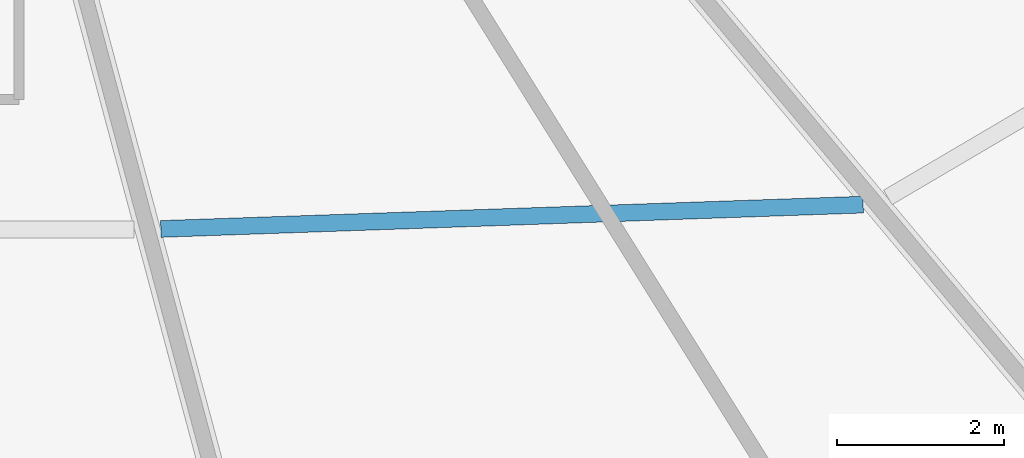
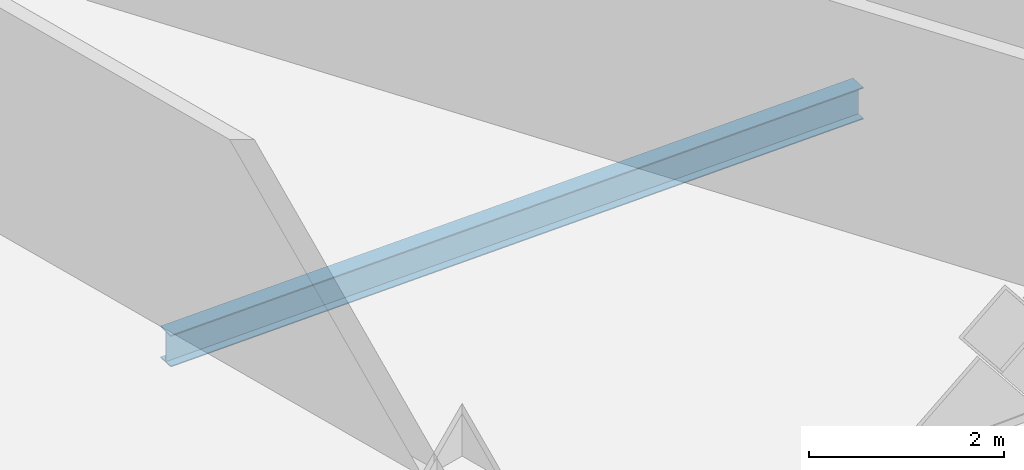
# One storey, part 11 of 37: 1 beam.
"""IFC4 building model written with IfcOpenShell, lengths in metres."""

from ifc_helpers import new_model, si_unit, direction, frame, origin, origin_2d, place, context, subcontext, project, spatial, i_section, extrude, source, transform, mapped, material, material_profile, profile_set, type_object, element, save


model = new_model("IFC4")

# Units and contexts
model_context = context("Model", 3, precision=1e-05, world=origin(), true_north=direction((0.0, 1.0)))
body_context = subcontext(model_context, "Body", "Model", "MODEL_VIEW")
ifc_project = project(units=[si_unit("LENGTHUNIT", "METRE"), si_unit("AREAUNIT", "SQUARE_METRE"), si_unit("VOLUMEUNIT", "CUBIC_METRE"), si_unit("PLANEANGLEUNIT", "RADIAN"), si_unit("MASSUNIT", "GRAM", prefix="KILO"), si_unit("THERMODYNAMICTEMPERATUREUNIT", "KELVIN"), si_unit("POWERUNIT", "WATT")], contexts=[model_context])

# Site, building, storey
site_placement = place(None, origin())
site = spatial("IfcSite", under=ifc_project, at=site_placement, CompositionType="ELEMENT")
building_placement = place(site_placement, origin())
building = spatial("IfcBuilding", under=site, at=building_placement, Name="Yunzhuo Pagoda Commons", CompositionType="ELEMENT")
storey_placement = place(building_placement, frame((0.0, 0.0, 88.780029296875)))
storey = spatial("IfcBuildingStorey", under=building, at=storey_placement, Name="L22", CompositionType="ELEMENT", Elevation=88.780029296875)

# Beam
ifc_material = material(Name="Structural steel Q355B", Category="steel")
ifc_material_profile = material_profile(ifc_material, i_section(OverallWidth=0.199951171875, OverallDepth=0.39990234375, WebThickness=0.008056640625, FlangeThickness=0.012939453125, at=origin_2d()), Name="Structural steel Q355B")
ifc_profile_set = profile_set([ifc_material_profile], Name="Structural steel Q355B")
beam_type = type_object("IfcBeamType", Name="B-JS1 Joist HN 400x200x8x13", PredefinedType="JOIST", material=ifc_profile_set)
shared_shape = source(origin(), body_context, "Body", "SweptSolid", [
    extrude(i_section(OverallWidth=0.199951171875, OverallDepth=0.39990234375, WebThickness=0.008056640625, FlangeThickness=0.012939453125, at=origin_2d()), origin(), (0.0, 0.0, 1.0), 8.392822265625),
])
beam_placement = place(storey_placement, frame((52.36181640625, 18.020263671875, -0.4599609375), z_axis=(0.999400667027, 0.034616567521, 0.0), x_axis=(-0.034616567521, 0.999400667027, 0.0)))
element("IfcBeam", 1, at=beam_placement, inside=storey, type_object=beam_type, Name="L22 composite ring joist 2.3", PredefinedType="JOIST", context=body_context, shape_type="MappedRepresentation", body=[
    mapped(shared_shape, transform((0.0, 0.0, 0.0), scale=1.0)),
])

save(model, "model.ifc")
